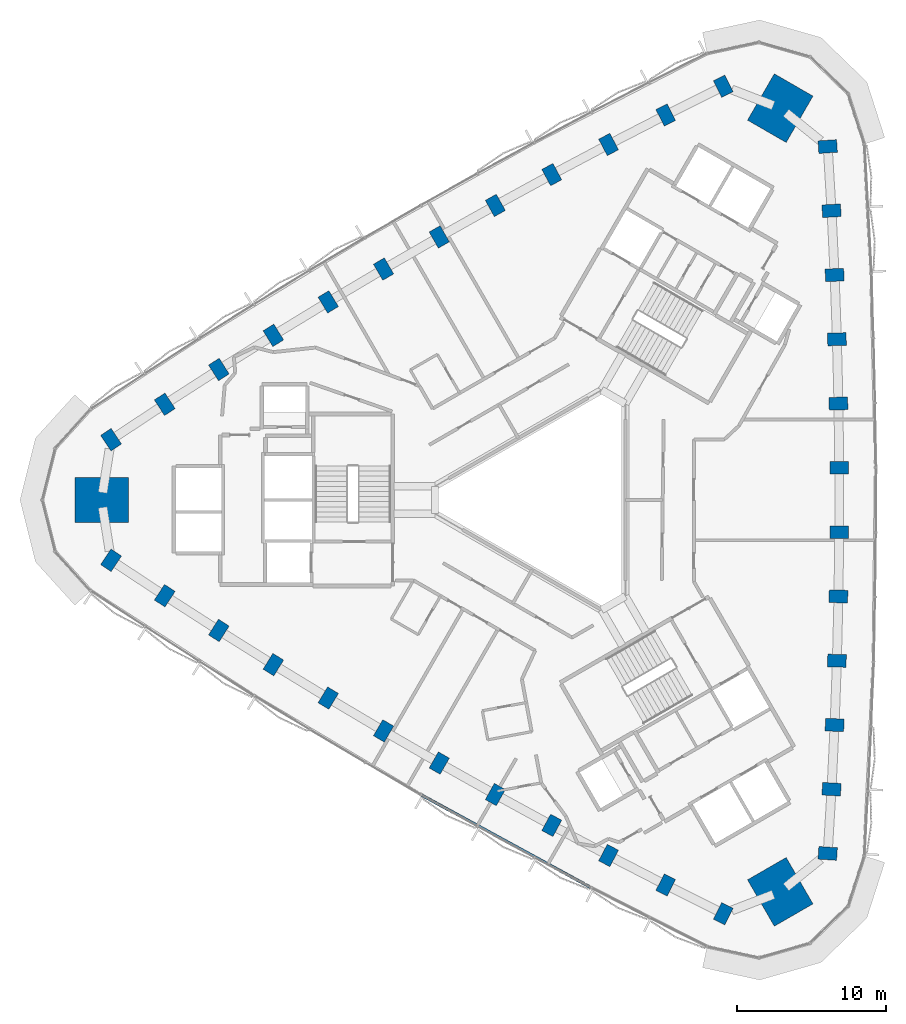
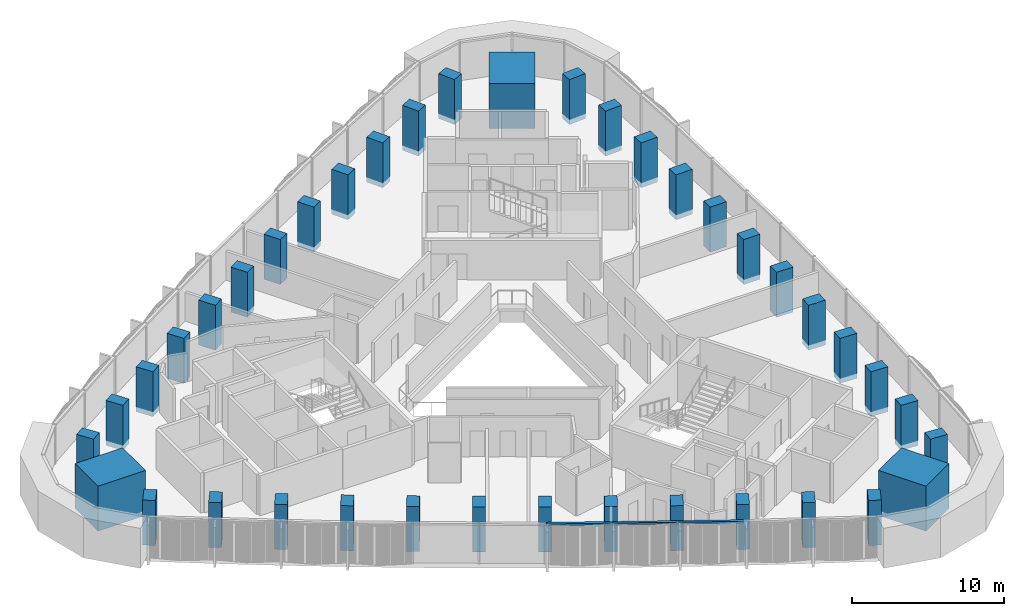
# One storey, part 1 of 14: 39 columns, 1 member, 1 element without a shape of its own.
"""IFC4 building model written with IfcOpenShell, lengths in metres."""

from ifc_helpers import new_model, si_unit, direction, frame, origin, origin_2d, place, context, subcontext, project, spatial, rectangle, extrude, material, material_profile, profile_set, type_object, element, aggregate, save


model = new_model("IFC4")

# Units and contexts
model_context = context("Model", 3, precision=1e-05, world=origin(), true_north=direction((0.0, 1.0)))
body_context = subcontext(model_context, "Body", "Model", "MODEL_VIEW")
ifc_project = project(units=[si_unit("LENGTHUNIT", "METRE"), si_unit("AREAUNIT", "SQUARE_METRE"), si_unit("VOLUMEUNIT", "CUBIC_METRE"), si_unit("PLANEANGLEUNIT", "RADIAN"), si_unit("MASSUNIT", "GRAM", prefix="KILO")], contexts=[model_context])

# Site, building, storey
site_placement = place(None, origin())
site = spatial("IfcSite", under=ifc_project, at=site_placement, CompositionType="ELEMENT")
building_placement = place(site_placement, origin())
building = spatial("IfcBuilding", under=site, at=building_placement, Name="Tamra Quay Hotel Tower", CompositionType="ELEMENT")
storey_placement = place(building_placement, frame((0.0, 0.0, 146.800048828125)))
storey = spatial("IfcBuildingStorey", under=building, at=storey_placement, Name="L36", CompositionType="ELEMENT", Elevation=146.800048828125)

# Columns
ifc_material_1 = material(Name="Concrete M70", Category="concrete")
ifc_material_profile_1 = material_profile(ifc_material_1, rectangle(XDim=1.25, YDim=0.85009765625, at=origin_2d()), Name="COLUMN RC 850x1250 Z3")
ifc_profile_set_1 = profile_set([ifc_material_profile_1], Name="Concrete M70")
column_type_1 = type_object("IfcColumnType", Name="COLUMN RC 850x1250 Z3", PredefinedType="COLUMN", material=ifc_profile_set_1)
for number, where, z_axis, x_axis, name in (
    (1, (18.396728515625, -23.757080078125, -0.400146484375), (0.0, 0.0, 1.0), (-0.997857895766, 0.065418803553, 0.0), "COL-C3E01-L36"),
    (2, (18.654541015625, -19.4423828125, -0.400146484375), (0.0, 0.0, 1.0), (-0.998562324173, 0.053603029218, 0.0), "COL-C3E02-L36"),
    (3, (18.86083984375, -15.124267578125, -0.400146484375), (0.0, 0.0, 1.0), (-0.999109109653, 0.042201741775, 0.0), "COL-C3E03-L36"),
    (4, (19.015869140625, -10.8046875, -0.400146484375), (0.0, 0.0, 1.0), (-0.99955268585, 0.029906992649, 0.0), "COL-C3E04-L36"),
    (5, (19.119140625, -6.483642578125, -0.400146484375), (0.0, 0.0, 1.0), (-0.999845156469, 0.017597246518, 0.0), "COL-C3E05-L36"),
    (6, (19.1708984375, -2.1611328125, -0.400146484375), (0.0, 0.0, 1.0), (-0.999981031775, 0.006159227987, 0.0), "COL-C3E06-L36"),
    (7, (19.1708984375, 2.1611328125, -0.400146484375), (0.0, 0.0, 1.0), (0.999981031775, 0.006159227987, 0.0), "COL-C3E07-L36"),
    (8, (19.119140625, 6.483642578125, -0.400146484375), (0.0, 0.0, 1.0), (0.999845156469, 0.017597246518, 0.0), "COL-C3E08-L36"),
    (9, (19.015869140625, 10.8046875, -0.400146484375), (0.0, 0.0, 1.0), (0.99955268585, 0.029906992649, 0.0), "COL-C3E09-L36"),
    (10, (18.86083984375, 15.124267578125, -0.400146484375), (0.0, 0.0, 1.0), (0.999109109653, 0.042201741775, 0.0), "COL-C3E10-L36"),
    (11, (18.654541015625, 19.4423828125, -0.400146484375), (0.0, 0.0, 1.0), (0.998562324173, 0.053603029218, 0.0), "COL-C3E11-L36"),
    (12, (18.396728515625, 23.757080078125, -0.400146484375), (0.0, 0.0, 1.0), (0.997857895766, 0.065418803553, 0.0), "COL-C3E12-L36"),
    (13, (11.3759765625, 27.810546875, -0.400146484375), (0.0, 0.0, 1.0), (-0.44227460212, 0.896879688877, 0.0), "COL-C3NW01-L36"),
    (14, (7.51025390625, 25.87646484375, -0.400146484375), (0.0, 0.0, 1.0), (-0.452859577064, 0.891581854605, 0.0), "COL-C3NW02-L36"),
    (15, (3.66748046875, 23.896240234375, -0.400146484375), (0.0, 0.0, 1.0), (-0.463006774365, 0.886354740999, 0.0), "COL-C3NW03-L36"),
    (16, (-0.150634765625, 21.87060546875, -0.400146484375), (0.0, 0.0, 1.0), (-0.47387612754, 0.880591514692, 0.0), "COL-C3NW04-L36"),
    (17, (-3.944580078125, 19.799560546875, -0.400146484375), (0.0, 0.0, 1.0), (-0.484682915713, 0.874689928612, 0.0), "COL-C3NW05-L36"),
    (18, (-7.7138671875, 17.68310546875, -0.400146484375), (0.0, 0.0, 1.0), (-0.494656467983, 0.869088590813, 0.0), "COL-C3NW06-L36"),
    (19, (-11.45703125, 15.521728515625, -0.400146484375), (0.0, 0.0, 1.0), (-0.505324563792, 0.862929362827, 0.0), "COL-C3NW07-L36"),
    (20, (-15.174560546875, 13.31591796875, -0.400146484375), (0.0, 0.0, 1.0), (-0.515162240756, 0.857092682094, 0.0), "COL-C3NW08-L36"),
    (21, (-18.864990234375, 11.06591796875, -0.400146484375), (0.0, 0.0, 1.0), (-0.52567655831, 0.850684522043, 0.0), "COL-C3NW09-L36"),
    (22, (-22.528564453125, 8.771728515625, -0.400146484375), (0.0, 0.0, 1.0), (-0.536102335288, 0.844152999224, 0.0), "COL-C3NW10-L36"),
    (23, (-26.164794921875, 6.43408203125, -0.400146484375), (0.0, 0.0, 1.0), (-0.545702747109, 0.837978825387, 0.0), "COL-C3NW11-L36"),
    (24, (-29.772705078125, 4.053466796875, -0.400146484375), (0.0, 0.0, 1.0), (-0.555583293645, 0.831460885323, 0.0), "COL-C3NW12-L36"),
    (25, (-29.772705078125, -4.053466796875, -0.400146484375), (0.0, 0.0, 1.0), (0.555583293645, 0.831460885323, 0.0), "COL-C3SW01-L36"),
    (26, (-26.164794921875, -6.43408203125, -0.400146484375), (0.0, 0.0, 1.0), (0.545702747109, 0.837978825387, 0.0), "COL-C3SW02-L36"),
    (27, (-22.528564453125, -8.771728515625, -0.400146484375), (0.0, 0.0, 1.0), (0.536102335288, 0.844152999224, 0.0), "COL-C3SW03-L36"),
    (28, (-18.864990234375, -11.06591796875, -0.400146484375), (0.0, 0.0, 1.0), (0.52567655831, 0.850684522043, 0.0), "COL-C3SW04-L36"),
    (29, (-15.174560546875, -13.31591796875, -0.400146484375), (0.0, 0.0, 1.0), (0.515162240756, 0.857092682094, 0.0), "COL-C3SW05-L36"),
    (30, (-11.45703125, -15.521728515625, -0.400146484375), (0.0, 0.0, 1.0), (0.505324563792, 0.862929362827, 0.0), "COL-C3SW06-L36"),
    (31, (-7.7138671875, -17.68310546875, -0.400146484375), (0.0, 0.0, 1.0), (0.494656467983, 0.869088590813, 0.0), "COL-C3SW07-L36"),
    (32, (-3.944580078125, -19.799560546875, -0.400146484375), (0.0, 0.0, 1.0), (0.484682915713, 0.874689928612, 0.0), "COL-C3SW08-L36"),
    (33, (-0.150634765625, -21.87060546875, -0.400146484375), (0.0, 0.0, 1.0), (0.47387612754, 0.880591514692, 0.0), "COL-C3SW09-L36"),
    (34, (3.66748046875, -23.896240234375, -0.400146484375), (0.0, 0.0, 1.0), (0.463006774365, 0.886354740999, 0.0), "COL-C3SW10-L36"),
    (35, (7.51025390625, -25.87646484375, -0.400146484375), (0.0, 0.0, 1.0), (0.452859577064, 0.891581854605, 0.0), "COL-C3SW11-L36"),
    (36, (11.3759765625, -27.810546875, -0.400146484375), (0.0, 0.0, 1.0), (0.44227460212, 0.896879688877, 0.0), "COL-C3SW12-L36"),
):
    element("IfcColumn", number, at=place(storey_placement, frame(where, z_axis=z_axis, x_axis=x_axis)), inside=storey, type_object=column_type_1, Name=name, PredefinedType="COLUMN", context=body_context, shape_type="SweptSolid", body=[
        extrude(rectangle(XDim=1.25, YDim=0.85009765625, at=origin_2d()), origin(), (0.0, 0.0, 1.0), 3.60009765625),
    ])
ifc_material_profile_2 = material_profile(ifc_material_1, rectangle(XDim=3.60009765625, YDim=3.0, at=origin_2d()), Name="MEGA COLUMN RC 3000x3600 Z3")
ifc_profile_set_2 = profile_set([ifc_material_profile_2], Name="Concrete M70")
column_type_2 = type_object("IfcColumnType", Name="MEGA COLUMN RC 3000x3600 Z3", PredefinedType="COLUMN", material=ifc_profile_set_2)
for number, where, z_axis, x_axis, name in (
    (37, (15.20703125, 26.339599609375, -0.400146484375), (0.0, 0.0, 1.0), (0.5, 0.866025403784, 0.0), "COL-M3NE-L36"),
    (38, (-30.414306640625, 0.0, -0.400146484375), (0.0, 0.0, 1.0), (1.0, 0.0, 0.0), "COL-M3W-L36"),
    (39, (15.20703125, -26.339599609375, -0.400146484375), (0.0, 0.0, 1.0), (-0.5, 0.866025403784, 0.0), "COL-M3SE-L36"),
):
    element("IfcColumn", number, at=place(storey_placement, frame(where, z_axis=z_axis, x_axis=x_axis)), inside=storey, type_object=column_type_2, Name=name, PredefinedType="COLUMN", context=body_context, shape_type="SweptSolid", body=[
        extrude(rectangle(XDim=3.60009765625, YDim=3.0, at=origin_2d()), origin(), (0.0, 0.0, 1.0), 3.60009765625),
    ])

# Curtain wall, member
ifc_material_2 = material(Name="Aluminium 6063 anodised dark grey", Category="aluminium")
curtain_wall_type = type_object("IfcCurtainWallType", Name="CW3 CURTAIN WALL", PredefinedType="NOTDEFINED", material=ifc_material_2)
curtain_wall_placement = place(storey_placement, origin())
curtain_wall = element("IfcCurtainWall", 40, at=curtain_wall_placement, inside=storey, type_object=curtain_wall_type, Name="CW3 south-west face L36", PredefinedType="NOTDEFINED")
ifc_material_profile_3 = material_profile(ifc_material_2, rectangle(XDim=0.199951171875, YDim=0.139892578125, at=origin_2d()), Name="TRANSOM 200X140")
ifc_profile_set_3 = profile_set([ifc_material_profile_3], Name="Aluminium 6063 anodised dark grey")
member_type = type_object("IfcMemberType", Name="TRANSOM CW3 Z3", PredefinedType="USERDEFINED", material=ifc_profile_set_3)
member_placement = place(storey_placement, frame((-8.887451171875, -19.84619140625, 3.1298828125), z_axis=(0.877730603068, -0.479154451548, 0.0), x_axis=(0.479154451548, 0.877730603068, 0.0)))
member = element("IfcMember", 41, at=member_placement, type_object=member_type, Name="CW3 transom L36.SW.7", ObjectType="TRANSOM", PredefinedType="USERDEFINED", context=body_context, shape_type="SweptSolid", body=[
    extrude(rectangle(XDim=0.199951171875, YDim=0.139892578125, at=origin_2d()), origin(), (0.0, 0.0, 1.0), 12.95556640625),
])
aggregate(curtain_wall, [member])

save(model, "model.ifc")
